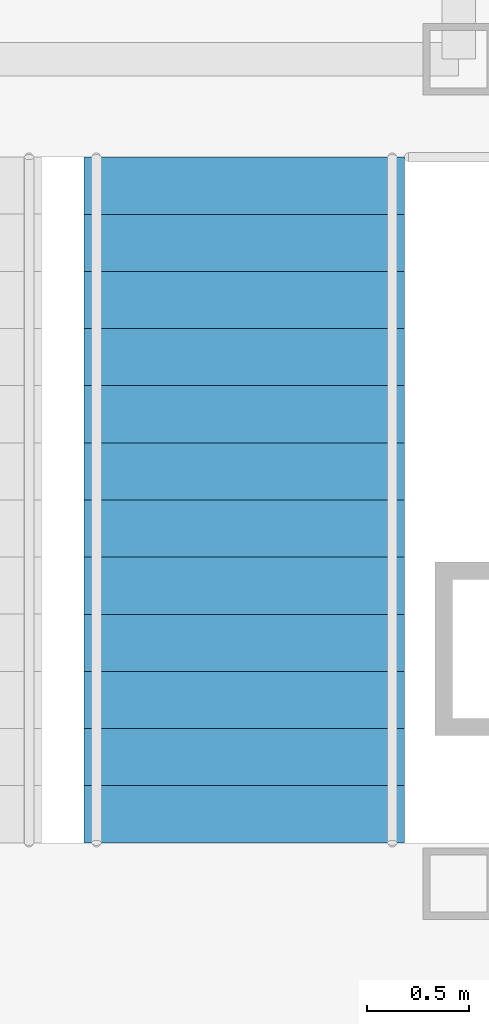
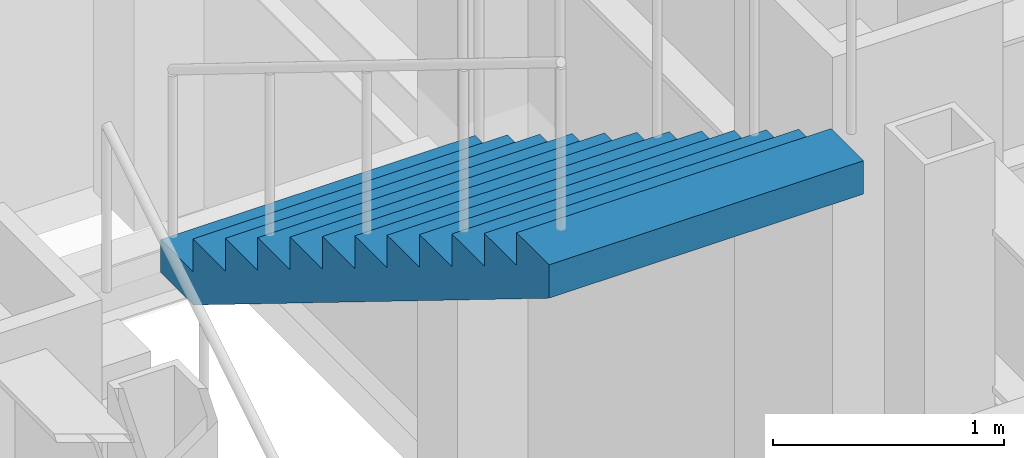
# One storey, part 15 of 18: 1 stair flight, 1 element without a shape of its own.
"""IFC4 building model written with IfcOpenShell, lengths in metres."""

from ifc_helpers import new_model, si_unit, direction, frame, origin, place, context, subcontext, project, spatial, faceted_brep, material, type_object, element, aggregate, save


model = new_model("IFC4")

# Units and contexts
model_context = context("Model", 3, precision=1e-05, world=origin(), true_north=direction((0.0, 1.0)))
body_context = subcontext(model_context, "Body", "Model", "MODEL_VIEW")
ifc_project = project(units=[si_unit("LENGTHUNIT", "METRE"), si_unit("AREAUNIT", "SQUARE_METRE"), si_unit("VOLUMEUNIT", "CUBIC_METRE"), si_unit("PLANEANGLEUNIT", "RADIAN"), si_unit("MASSUNIT", "GRAM", prefix="KILO")], contexts=[model_context])

# Site, building, storey
site_placement = place(None, origin())
site = spatial("IfcSite", under=ifc_project, at=site_placement, CompositionType="ELEMENT")
building_placement = place(site_placement, origin())
building = spatial("IfcBuilding", under=site, at=building_placement, Name="Chuquiago Exchange Tower", CompositionType="ELEMENT")
storey_placement = place(building_placement, frame((0.0, 0.0, 24.300048828125)))
storey = spatial("IfcBuildingStorey", under=building, at=storey_placement, Name="L04", CompositionType="ELEMENT", Elevation=24.300048828125)

# Stair, stair flight
ifc_material_1 = material(Name="Concrete C30/37, precast", Category="concrete")
stair_type = type_object("IfcStairType", Name="ST2 half-turn stair 4500", PredefinedType="HALF_TURN_STAIR", material=ifc_material_1)
stair_placement = place(storey_placement, origin())
stair = element("IfcStair", 1, at=stair_placement, inside=storey, type_object=stair_type, Name="Stair ST2 L04", PredefinedType="HALF_TURN_STAIR")
ifc_material_2 = material(Name="Concrete C30/37, precast", Category="concrete")
stair_flight_type = type_object("IfcStairFlightType", Name="ST-F flight 1570 for 4500 storey", PredefinedType="STRAIGHT", material=ifc_material_2)
stair_flight_placement = place(storey_placement, frame((31.639892578125, 26.409912109375, 2.25), z_axis=(0.0, 0.0, 1.0), x_axis=(0.0, -1.0, 0.0)))
stair_flight = element("IfcStairFlight", 2, at=stair_flight_placement, type_object=stair_flight_type, Name="ST2 flight 2", NumberOfRisers=13, NumberOfTreads=12, PredefinedType="STRAIGHT", RiserHeight=0.173076923, TreadLength=0.28, context=body_context, shape_type="Brep", body=[
    faceted_brep([(0.0, 0.78515625, 0.0), (0.0, 0.78515625, 0.173095703125), (0.280029296875, 0.78515625, 0.173095703125), (0.280029296875, 0.78515625, 0.34619140625), (0.56005859375, 0.78515625, 0.34619140625), (0.56005859375, 0.78515625, 0.519287109375), (0.840087890625, 0.78515625, 0.519287109375), (0.840087890625, 0.78515625, 0.6923828125), (1.1201171875, 0.78515625, 0.6923828125), (1.1201171875, 0.78515625, 0.865478515625), (1.39990234375, 0.78515625, 0.865478515625), (1.39990234375, 0.78515625, 1.03857421875), (1.679931640625, 0.78515625, 1.03857421875), (1.679931640625, 0.78515625, 1.21142578125), (1.9599609375, 0.78515625, 1.21142578125), (1.9599609375, 0.78515625, 1.384521484375), (2.239990234375, 0.78515625, 1.384521484375), (2.239990234375, 0.78515625, 1.5576171875), (2.52001953125, 0.78515625, 1.5576171875), (2.52001953125, 0.78515625, 1.730712890625), (2.800048828125, 0.78515625, 1.730712890625), (2.800048828125, 0.78515625, 1.90380859375), (3.080078125, 0.78515625, 1.90380859375), (3.080078125, 0.78515625, 2.076904296875), (3.360107421875, 0.78515625, 2.076904296875), (3.360107421875, 0.78515625, 1.900634765625), (0.28515625, 0.78515625, 0.0), (0.28515625, -0.78515625, 0.0), (3.360107421875, -0.78515625, 1.900634765625), (3.360107421875, -0.78515625, 2.076904296875), (3.080078125, -0.78515625, 2.076904296875), (3.080078125, -0.78515625, 1.90380859375), (2.800048828125, -0.78515625, 1.90380859375), (2.800048828125, -0.78515625, 1.730712890625), (2.52001953125, -0.78515625, 1.730712890625), (2.52001953125, -0.78515625, 1.5576171875), (2.239990234375, -0.78515625, 1.5576171875), (2.239990234375, -0.78515625, 1.384521484375), (1.9599609375, -0.78515625, 1.384521484375), (1.9599609375, -0.78515625, 1.21142578125), (1.679931640625, -0.78515625, 1.21142578125), (1.679931640625, -0.78515625, 1.03857421875), (1.39990234375, -0.78515625, 1.03857421875), (1.39990234375, -0.78515625, 0.865478515625), (1.1201171875, -0.78515625, 0.865478515625), (1.1201171875, -0.78515625, 0.6923828125), (0.840087890625, -0.78515625, 0.6923828125), (0.840087890625, -0.78515625, 0.519287109375), (0.56005859375, -0.78515625, 0.519287109375), (0.56005859375, -0.78515625, 0.34619140625), (0.280029296875, -0.78515625, 0.34619140625), (0.280029296875, -0.78515625, 0.173095703125), (0.0, -0.78515625, 0.173095703125), (0.0, -0.78515625, 0.0), (0.0, 0.392578125, 0.0), (0.0, 0.392578125, 0.173095703125), (0.0, 0.0, 0.0), (0.0, 0.0, 0.173095703125), (0.0, -0.392578125, 0.0), (0.0, -0.392578125, 0.173095703125), (0.280029296875, 0.392578125, 0.173095703125), (0.280029296875, 0.0, 0.173095703125), (0.280029296875, -0.392578125, 0.173095703125), (0.280029296875, 0.392578125, 0.34619140625), (0.280029296875, 0.0, 0.34619140625), (0.280029296875, -0.392578125, 0.34619140625), (0.56005859375, 0.392578125, 0.34619140625), (0.56005859375, 0.0, 0.34619140625), (0.56005859375, -0.392578125, 0.34619140625), (0.56005859375, 0.392578125, 0.519287109375), (0.56005859375, 0.0, 0.519287109375), (0.56005859375, -0.392578125, 0.519287109375), (0.840087890625, 0.392578125, 0.519287109375), (0.840087890625, 0.0, 0.519287109375), (0.840087890625, -0.392578125, 0.519287109375), (0.840087890625, 0.392578125, 0.6923828125), (0.840087890625, 0.0, 0.6923828125), (0.840087890625, -0.392578125, 0.6923828125), (1.1201171875, 0.392578125, 0.6923828125), (1.1201171875, 0.0, 0.6923828125), (1.1201171875, -0.392578125, 0.6923828125), (1.1201171875, 0.392578125, 0.865478515625), (1.1201171875, 0.0, 0.865478515625), (1.1201171875, -0.392578125, 0.865478515625), (1.39990234375, 0.392578125, 0.865478515625), (1.39990234375, 0.0, 0.865478515625), (1.39990234375, -0.392578125, 0.865478515625), (1.39990234375, 0.392578125, 1.03857421875), (1.39990234375, 0.0, 1.03857421875), (1.39990234375, -0.392578125, 1.03857421875), (1.679931640625, 0.392578125, 1.03857421875), (1.679931640625, 0.0, 1.03857421875), (1.679931640625, -0.392578125, 1.03857421875), (1.679931640625, 0.392578125, 1.21142578125), (1.679931640625, 0.0, 1.21142578125), (1.679931640625, -0.392578125, 1.21142578125), (1.9599609375, 0.392578125, 1.21142578125), (1.9599609375, 0.0, 1.21142578125), (1.9599609375, -0.392578125, 1.21142578125), (1.9599609375, 0.392578125, 1.384521484375), (1.9599609375, 0.0, 1.384521484375), (1.9599609375, -0.392578125, 1.384521484375), (2.239990234375, 0.392578125, 1.384521484375), (2.239990234375, 0.0, 1.384521484375), (2.239990234375, -0.392578125, 1.384521484375), (2.239990234375, 0.392578125, 1.5576171875), (2.239990234375, 0.0, 1.5576171875), (2.239990234375, -0.392578125, 1.5576171875), (2.52001953125, 0.392578125, 1.5576171875), (2.52001953125, 0.0, 1.5576171875), (2.52001953125, -0.392578125, 1.5576171875), (2.52001953125, 0.392578125, 1.730712890625), (2.52001953125, 0.0, 1.730712890625), (2.52001953125, -0.392578125, 1.730712890625), (2.800048828125, 0.392578125, 1.730712890625), (2.800048828125, 0.0, 1.730712890625), (2.800048828125, -0.392578125, 1.730712890625), (2.800048828125, 0.392578125, 1.90380859375), (2.800048828125, 0.0, 1.90380859375), (2.800048828125, -0.392578125, 1.90380859375), (3.080078125, 0.392578125, 1.90380859375), (3.080078125, 0.0, 1.90380859375), (3.080078125, -0.392578125, 1.90380859375), (3.080078125, 0.392578125, 2.076904296875), (3.080078125, 0.0, 2.076904296875), (3.080078125, -0.392578125, 2.076904296875), (3.360107421875, 0.392578125, 2.076904296875), (3.360107421875, 0.0, 2.076904296875), (3.360107421875, -0.392578125, 2.076904296875), (3.360107421875, 0.392578125, 1.900634765625), (3.360107421875, 0.0, 1.900634765625), (3.360107421875, -0.392578125, 1.900634765625), (0.28515625, 0.392578125, 0.0), (0.28515625, 0.0, 0.0), (0.28515625, -0.392578125, 0.0)], [[[0, 1, 2, 3, 4, 5, 6, 7, 8, 9, 10, 11, 12, 13, 14, 15, 16, 17, 18, 19, 20, 21, 22, 23, 24, 25, 26]], [[27, 28, 29, 30, 31, 32, 33, 34, 35, 36, 37, 38, 39, 40, 41, 42, 43, 44, 45, 46, 47, 48, 49, 50, 51, 52, 53]], [[1, 0, 54, 55]], [[55, 54, 56, 57]], [[57, 56, 58, 59]], [[59, 58, 53, 52]], [[2, 1, 55, 60]], [[60, 55, 57, 61]], [[61, 57, 59, 62]], [[62, 59, 52, 51]], [[3, 2, 60, 63]], [[63, 60, 61, 64]], [[64, 61, 62, 65]], [[65, 62, 51, 50]], [[4, 3, 63, 66]], [[66, 63, 64, 67]], [[67, 64, 65, 68]], [[68, 65, 50, 49]], [[5, 4, 66, 69]], [[69, 66, 67, 70]], [[70, 67, 68, 71]], [[71, 68, 49, 48]], [[6, 5, 69, 72]], [[72, 69, 70, 73]], [[73, 70, 71, 74]], [[74, 71, 48, 47]], [[7, 6, 72, 75]], [[75, 72, 73, 76]], [[76, 73, 74, 77]], [[77, 74, 47, 46]], [[8, 7, 75, 78]], [[78, 75, 76, 79]], [[79, 76, 77, 80]], [[80, 77, 46, 45]], [[9, 8, 78, 81]], [[81, 78, 79, 82]], [[82, 79, 80, 83]], [[83, 80, 45, 44]], [[10, 9, 81, 84]], [[84, 81, 82, 85]], [[85, 82, 83, 86]], [[86, 83, 44, 43]], [[11, 10, 84, 87]], [[87, 84, 85, 88]], [[88, 85, 86, 89]], [[89, 86, 43, 42]], [[12, 11, 87, 90]], [[90, 87, 88, 91]], [[91, 88, 89, 92]], [[92, 89, 42, 41]], [[13, 12, 90, 93]], [[93, 90, 91, 94]], [[94, 91, 92, 95]], [[95, 92, 41, 40]], [[14, 13, 93, 96]], [[96, 93, 94, 97]], [[97, 94, 95, 98]], [[98, 95, 40, 39]], [[15, 14, 96, 99]], [[99, 96, 97, 100]], [[100, 97, 98, 101]], [[101, 98, 39, 38]], [[16, 15, 99, 102]], [[102, 99, 100, 103]], [[103, 100, 101, 104]], [[104, 101, 38, 37]], [[17, 16, 102, 105]], [[105, 102, 103, 106]], [[106, 103, 104, 107]], [[107, 104, 37, 36]], [[18, 17, 105, 108]], [[108, 105, 106, 109]], [[109, 106, 107, 110]], [[110, 107, 36, 35]], [[19, 18, 108, 111]], [[111, 108, 109, 112]], [[112, 109, 110, 113]], [[113, 110, 35, 34]], [[20, 19, 111, 114]], [[114, 111, 112, 115]], [[115, 112, 113, 116]], [[116, 113, 34, 33]], [[21, 20, 114, 117]], [[117, 114, 115, 118]], [[118, 115, 116, 119]], [[119, 116, 33, 32]], [[22, 21, 117, 120]], [[120, 117, 118, 121]], [[121, 118, 119, 122]], [[122, 119, 32, 31]], [[23, 22, 120, 123]], [[123, 120, 121, 124]], [[124, 121, 122, 125]], [[125, 122, 31, 30]], [[24, 23, 123, 126]], [[126, 123, 124, 127]], [[127, 124, 125, 128]], [[128, 125, 30, 29]], [[25, 24, 126, 129]], [[129, 126, 127, 130]], [[130, 127, 128, 131]], [[131, 128, 29, 28]], [[26, 25, 129, 132]], [[132, 129, 130, 133]], [[133, 130, 131, 134]], [[134, 131, 28, 27]], [[0, 26, 132, 54]], [[54, 132, 133, 56]], [[56, 133, 134, 58]], [[58, 134, 27, 53]]]),
])
aggregate(stair, [stair_flight])

save(model, "model.ifc")
